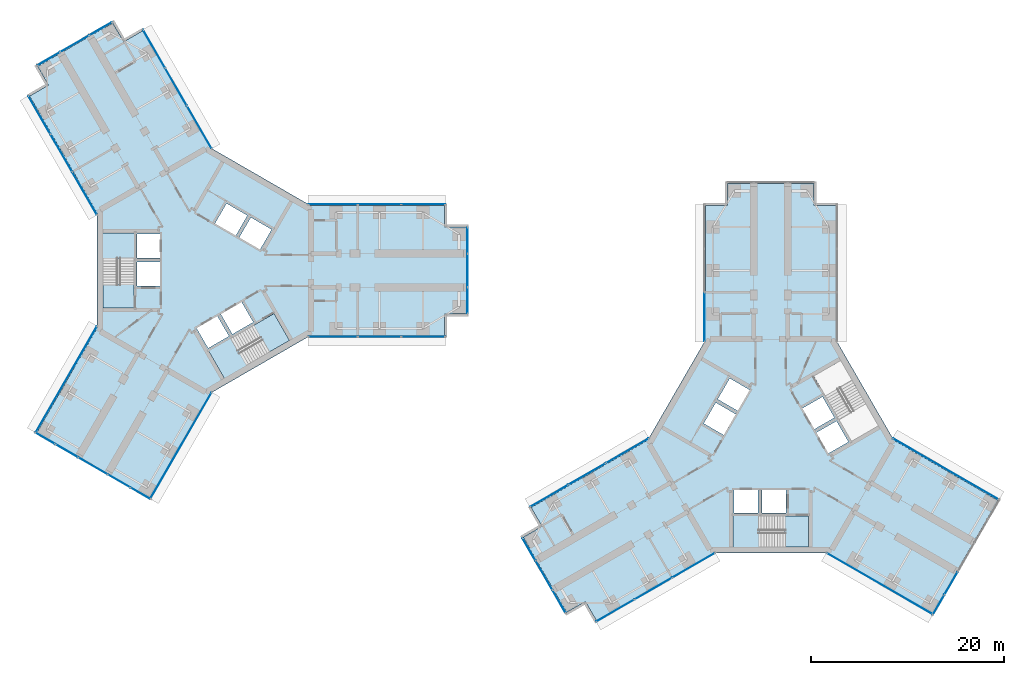
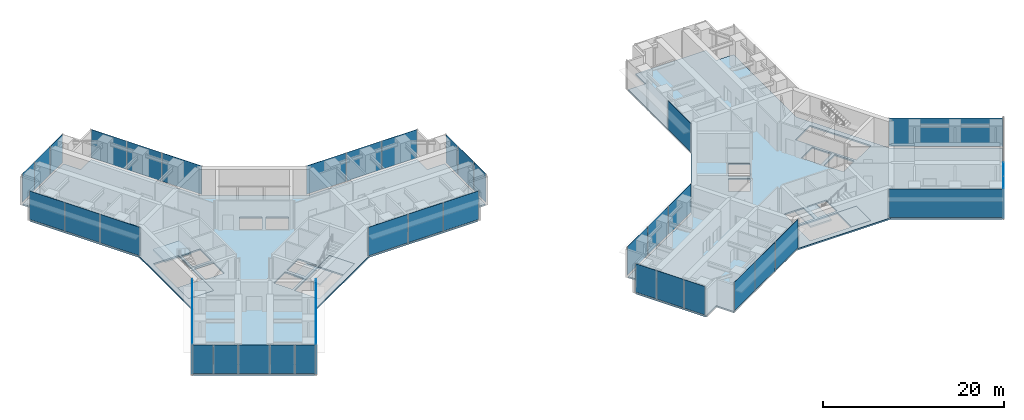
# One storey, part 13 of 21: 39 plates, 8 slabs, 19 elements without a shape of their own.
"""IFC4 building model written with IfcOpenShell, lengths in metres."""

from ifc_helpers import new_model, si_unit, direction, frame, origin, origin_2d, place, context, subcontext, project, spatial, polyline, rectangle, outline, extrude, material, layer, layer_set, type_object, element, aggregate, save


model = new_model("IFC4")

# Units and contexts
model_context = context("Model", 3, precision=1e-05, world=origin(), true_north=direction((0.0, 1.0)))
body_context = subcontext(model_context, "Body", "Model", "MODEL_VIEW")
ifc_project = project(units=[si_unit("LENGTHUNIT", "METRE"), si_unit("AREAUNIT", "SQUARE_METRE"), si_unit("VOLUMEUNIT", "CUBIC_METRE"), si_unit("PLANEANGLEUNIT", "RADIAN"), si_unit("MASSUNIT", "GRAM", prefix="KILO")], contexts=[model_context])

# Site, building, storey
site_placement = place(None, origin())
site = spatial("IfcSite", under=ifc_project, at=site_placement, CompositionType="ELEMENT")
building_placement = place(site_placement, origin())
building = spatial("IfcBuilding", under=site, at=building_placement, Name="Upepo Twin Towers", CompositionType="ELEMENT")
storey_placement = place(building_placement, frame((0.0, 0.0, 105.5)))
storey = spatial("IfcBuildingStorey", under=building, at=storey_placement, Name="L25", CompositionType="ELEMENT", Elevation=105.5)

# Curtain wall, plates
ifc_material_1 = material(Name="Aluminium and fritted glass", Category="aluminium")
curtain_wall_type = type_object("IfcCurtainWallType", Name="Tower curtain wall TW2, fritted glass", PredefinedType="NOTDEFINED", material=ifc_material_1)
curtain_wall_1_placement = place(storey_placement, origin())
curtain_wall_1 = element("IfcCurtainWall", 1, at=curtain_wall_1_placement, inside=storey, type_object=curtain_wall_type, Name="T1 L25 wing A flank L curtain wall", PredefinedType="NOTDEFINED")
ifc_material_2 = material(Name="Ceramic-fritted laminated glass", Category="glass")
ifc_layer_1 = layer(ifc_material_2, 0.031982421875)
ifc_layer_set_1 = layer_set([ifc_layer_1], Name="Fritted glass panel, 35 per cent dot frit, 32 mm double glazed")
plate_type_1 = type_object("IfcPlateType", Name="Fritted glass panel, 35 per cent dot frit, 32 mm double glazed", PredefinedType="CURTAIN_PANEL", material=ifc_layer_set_1)
plate_1_placement = place(storey_placement, frame((13.184814453125, 6.85009765625, 0.14990234375), z_axis=(0.0, 0.0, 1.0), x_axis=(1.0, 0.0, 0.0)))
plate_1 = element("IfcPlate", 2, at=plate_1_placement, type_object=plate_type_1, Name="T1 L25 wing A flank L curtain wall panel 1", PredefinedType="CURTAIN_PANEL", context=body_context, shape_type="SweptSolid", body=[
    extrude(rectangle(XDim=5.0654296875, YDim=0.031982421875, at=origin_2d()), origin(), (0.0, 0.0, 1.0), 3.85009765625),
])
plate_2_placement = place(storey_placement, frame((18.0, 6.85009765625, 0.14990234375), z_axis=(0.0, 0.0, 1.0), x_axis=(1.0, 0.0, 0.0)))
plate_2 = element("IfcPlate", 3, at=plate_2_placement, type_object=plate_type_1, Name="T1 L25 wing A flank L curtain wall panel 2", PredefinedType="CURTAIN_PANEL", context=body_context, shape_type="SweptSolid", body=[
    extrude(rectangle(XDim=4.43505859375, YDim=0.031982421875, at=origin_2d()), origin(), (0.0, 0.0, 1.0), 3.85009765625),
])
plate_3_placement = place(storey_placement, frame((22.53369140625, 6.85009765625, 0.14990234375), z_axis=(0.0, 0.0, 1.0), x_axis=(1.0, 0.0, 0.0)))
plate_3 = element("IfcPlate", 4, at=plate_3_placement, type_object=plate_type_1, Name="T1 L25 wing A flank L curtain wall panel 3", PredefinedType="CURTAIN_PANEL", context=body_context, shape_type="SweptSolid", body=[
    extrude(rectangle(XDim=4.50244140625, YDim=0.031982421875, at=origin_2d()), origin(), (0.0, 0.0, 1.0), 3.85009765625),
])
aggregate(curtain_wall_1, [plate_1, plate_2, plate_3])

curtain_wall_2_placement = place(storey_placement, origin())
curtain_wall_2 = element("IfcCurtainWall", 5, at=curtain_wall_2_placement, inside=storey, type_object=curtain_wall_type, Name="T1 L25 wing A flank R curtain wall", PredefinedType="NOTDEFINED")
plate_4_placement = place(storey_placement, frame((22.53369140625, -6.85009765625, 0.14990234375), z_axis=(0.0, 0.0, 1.0), x_axis=(-1.0, 0.0, 0.0)))
plate_4 = element("IfcPlate", 6, at=plate_4_placement, type_object=plate_type_1, Name="T1 L25 wing A flank R curtain wall panel 1", PredefinedType="CURTAIN_PANEL", context=body_context, shape_type="SweptSolid", body=[
    extrude(rectangle(XDim=4.50244140625, YDim=0.031982421875, at=origin_2d()), origin(), (0.0, 0.0, 1.0), 3.85009765625),
])
plate_5_placement = place(storey_placement, frame((18.0, -6.85009765625, 0.14990234375), z_axis=(0.0, 0.0, 1.0), x_axis=(-1.0, 0.0, 0.0)))
plate_5 = element("IfcPlate", 7, at=plate_5_placement, type_object=plate_type_1, Name="T1 L25 wing A flank R curtain wall panel 2", PredefinedType="CURTAIN_PANEL", context=body_context, shape_type="SweptSolid", body=[
    extrude(rectangle(XDim=4.43505859375, YDim=0.031982421875, at=origin_2d()), origin(), (0.0, 0.0, 1.0), 3.85009765625),
])
plate_6_placement = place(storey_placement, frame((13.184814453125, -6.85009765625, 0.14990234375), z_axis=(0.0, 0.0, 1.0), x_axis=(-1.0, 0.0, 0.0)))
plate_6 = element("IfcPlate", 8, at=plate_6_placement, type_object=plate_type_1, Name="T1 L25 wing A flank R curtain wall panel 3", PredefinedType="CURTAIN_PANEL", context=body_context, shape_type="SweptSolid", body=[
    extrude(rectangle(XDim=5.0654296875, YDim=0.031982421875, at=origin_2d()), origin(), (0.0, 0.0, 1.0), 3.85009765625),
])
aggregate(curtain_wall_2, [plate_4, plate_5, plate_6])

# Curtain wall, plate
curtain_wall_3_placement = place(storey_placement, origin())
curtain_wall_3 = element("IfcCurtainWall", 9, at=curtain_wall_3_placement, inside=storey, type_object=curtain_wall_type, Name="T1 L25 wing A nose curtain wall", PredefinedType="NOTDEFINED")
plate_7_placement = place(storey_placement, frame((27.10009765625, 0.0, 0.14990234375), z_axis=(0.0, 0.0, 1.0), x_axis=(0.0, 1.0, 0.0)))
plate_7 = element("IfcPlate", 10, at=plate_7_placement, type_object=plate_type_1, Name="T1 L25 wing A nose curtain wall panel 2", PredefinedType="CURTAIN_PANEL", context=body_context, shape_type="SweptSolid", body=[
    extrude(rectangle(XDim=3.43505859375, YDim=0.031982421875, at=origin_2d()), origin(), (0.0, 0.0, 1.0), 3.85009765625),
])

# Curtain wall, plates
curtain_wall_4_placement = place(storey_placement, origin())
curtain_wall_4 = element("IfcCurtainWall", 11, at=curtain_wall_4_placement, inside=storey, type_object=curtain_wall_type, Name="T1 L25 wing B flank L curtain wall", PredefinedType="NOTDEFINED")
plate_8_placement = place(storey_placement, frame((-12.524658203125, 7.993408203125, 0.14990234375), z_axis=(0.0, 0.0, 1.0), x_axis=(-0.500000010308, 0.866025397833, 0.0)))
plate_8 = element("IfcPlate", 12, at=plate_8_placement, type_object=plate_type_1, Name="T1 L25 wing B flank L curtain wall panel 1", PredefinedType="CURTAIN_PANEL", context=body_context, shape_type="SweptSolid", body=[
    extrude(rectangle(XDim=5.0654296875, YDim=0.031982421875, at=origin_2d()), origin(), (0.0, 0.0, 1.0), 3.85009765625),
])
plate_9_placement = place(storey_placement, frame((-14.932373046875, 12.16357421875, 0.14990234375), z_axis=(0.0, 0.0, 1.0), x_axis=(-0.500000010308, 0.866025397833, 0.0)))
plate_9 = element("IfcPlate", 13, at=plate_9_placement, type_object=plate_type_1, Name="T1 L25 wing B flank L curtain wall panel 2", PredefinedType="CURTAIN_PANEL", context=body_context, shape_type="SweptSolid", body=[
    extrude(rectangle(XDim=4.43505859375, YDim=0.031982421875, at=origin_2d()), origin(), (0.0, 0.0, 1.0), 3.85009765625),
])
plate_10_placement = place(storey_placement, frame((-17.19921875, 16.08984375, 0.14990234375), z_axis=(0.0, 0.0, 1.0), x_axis=(-0.500000010308, 0.866025397833, 0.0)))
plate_10 = element("IfcPlate", 14, at=plate_10_placement, type_object=plate_type_1, Name="T1 L25 wing B flank L curtain wall panel 3", PredefinedType="CURTAIN_PANEL", context=body_context, shape_type="SweptSolid", body=[
    extrude(rectangle(XDim=4.50244140625, YDim=0.031982421875, at=origin_2d()), origin(), (0.0, 0.0, 1.0), 3.85009765625),
])
aggregate(curtain_wall_4, [plate_8, plate_9, plate_10])

curtain_wall_5_placement = place(storey_placement, origin())
curtain_wall_5 = element("IfcCurtainWall", 15, at=curtain_wall_5_placement, inside=storey, type_object=curtain_wall_type, Name="T1 L25 wing B flank R curtain wall", PredefinedType="NOTDEFINED")
plate_11_placement = place(storey_placement, frame((-5.334716796875, 22.939697265625, 0.14990234375), z_axis=(0.0, 0.0, 1.0), x_axis=(0.500000010308, -0.866025397833, 0.0)))
plate_11 = element("IfcPlate", 16, at=plate_11_placement, type_object=plate_type_1, Name="T1 L25 wing B flank R curtain wall panel 1", PredefinedType="CURTAIN_PANEL", context=body_context, shape_type="SweptSolid", body=[
    extrude(rectangle(XDim=4.50244140625, YDim=0.031982421875, at=origin_2d()), origin(), (0.0, 0.0, 1.0), 3.85009765625),
])
plate_12_placement = place(storey_placement, frame((-3.067626953125, 19.013427734375, 0.14990234375), z_axis=(0.0, 0.0, 1.0), x_axis=(0.500000010308, -0.866025397833, 0.0)))
plate_12 = element("IfcPlate", 17, at=plate_12_placement, type_object=plate_type_1, Name="T1 L25 wing B flank R curtain wall panel 2", PredefinedType="CURTAIN_PANEL", context=body_context, shape_type="SweptSolid", body=[
    extrude(rectangle(XDim=4.43505859375, YDim=0.031982421875, at=origin_2d()), origin(), (0.0, 0.0, 1.0), 3.85009765625),
])
plate_13_placement = place(storey_placement, frame((-0.66015625, 14.84326171875, 0.14990234375), z_axis=(0.0, 0.0, 1.0), x_axis=(0.500000010308, -0.866025397833, 0.0)))
plate_13 = element("IfcPlate", 18, at=plate_13_placement, type_object=plate_type_1, Name="T1 L25 wing B flank R curtain wall panel 3", PredefinedType="CURTAIN_PANEL", context=body_context, shape_type="SweptSolid", body=[
    extrude(rectangle(XDim=5.0654296875, YDim=0.031982421875, at=origin_2d()), origin(), (0.0, 0.0, 1.0), 3.85009765625),
])
aggregate(curtain_wall_5, [plate_11, plate_12, plate_13])

# Curtain wall, plate
curtain_wall_6_placement = place(storey_placement, origin())
curtain_wall_6 = element("IfcCurtainWall", 19, at=curtain_wall_6_placement, inside=storey, type_object=curtain_wall_type, Name="T1 L25 wing B nose curtain wall", PredefinedType="NOTDEFINED")
plate_14_placement = place(storey_placement, frame((-13.550048828125, 23.46923828125, 0.14990234375), z_axis=(0.0, 0.0, 1.0), x_axis=(-0.866025386174, -0.500000030502, 0.0)))
plate_14 = element("IfcPlate", 20, at=plate_14_placement, type_object=plate_type_1, Name="T1 L25 wing B nose curtain wall panel 2", PredefinedType="CURTAIN_PANEL", context=body_context, shape_type="SweptSolid", body=[
    extrude(rectangle(XDim=3.43505859375, YDim=0.031982421875, at=origin_2d()), origin(), (0.0, 0.0, 1.0), 3.85009765625),
])

curtain_wall_7_placement = place(storey_placement, origin())
curtain_wall_7 = element("IfcCurtainWall", 21, at=curtain_wall_7_placement, inside=storey, type_object=curtain_wall_type, Name="T1 L25 wing C flank L curtain wall", PredefinedType="NOTDEFINED")
plate_15_placement = place(storey_placement, frame((-2.552001953125, -18.1201171875, 0.14990234375), z_axis=(0.0, 0.0, 1.0), x_axis=(-0.50000000792, -0.866025399212, 0.0)))
plate_15 = element("IfcPlate", 22, at=plate_15_placement, type_object=plate_type_1, Name="T1 L25 wing C flank L curtain wall panel 1", PredefinedType="CURTAIN_PANEL", context=body_context, shape_type="SweptSolid", body=[
    extrude(rectangle(XDim=12.6328125, YDim=0.031982421875, at=origin_2d()), origin(), (0.0, 0.0, 1.0), 3.85009765625),
])
aggregate(curtain_wall_7, [plate_15])

curtain_wall_8_placement = place(storey_placement, origin())
curtain_wall_8 = element("IfcCurtainWall", 23, at=curtain_wall_8_placement, inside=storey, type_object=curtain_wall_type, Name="T1 L25 wing C flank R curtain wall", PredefinedType="NOTDEFINED")
plate_16_placement = place(storey_placement, frame((-14.41650390625, -11.270263671875, 0.14990234375), z_axis=(0.0, 0.0, 1.0), x_axis=(0.50000000792, 0.866025399212, 0.0)))
plate_16 = element("IfcPlate", 24, at=plate_16_placement, type_object=plate_type_1, Name="T1 L25 wing C flank R curtain wall panel 1", PredefinedType="CURTAIN_PANEL", context=body_context, shape_type="SweptSolid", body=[
    extrude(rectangle(XDim=12.6328125, YDim=0.031982421875, at=origin_2d()), origin(), (0.0, 0.0, 1.0), 3.85009765625),
])
aggregate(curtain_wall_8, [plate_16])

# Curtain wall, plates
curtain_wall_9_placement = place(storey_placement, origin())
curtain_wall_9 = element("IfcCurtainWall", 25, at=curtain_wall_9_placement, inside=storey, type_object=curtain_wall_type, Name="T1 L25 wing C nose curtain wall", PredefinedType="NOTDEFINED")
plate_17_placement = place(storey_placement, frame((-14.38134765625, -18.6591796875, 0.14990234375), z_axis=(0.0, 0.0, 1.0), x_axis=(0.866025419745, -0.499999972355, 0.0)))
plate_17 = element("IfcPlate", 26, at=plate_17_placement, type_object=plate_type_1, Name="T1 L25 wing C nose curtain wall panel 2", PredefinedType="CURTAIN_PANEL", context=body_context, shape_type="SweptSolid", body=[
    extrude(rectangle(XDim=2.68505859375, YDim=0.031982421875, at=origin_2d()), origin(), (0.0, 0.0, 1.0), 3.85009765625),
])
plate_18_placement = place(storey_placement, frame((-11.675048828125, -20.2216796875, 0.14990234375), z_axis=(0.0, 0.0, 1.0), x_axis=(0.866025419745, -0.499999972355, 0.0)))
plate_18 = element("IfcPlate", 27, at=plate_18_placement, type_object=plate_type_1, Name="T1 L25 wing C nose curtain wall panel 3", PredefinedType="CURTAIN_PANEL", context=body_context, shape_type="SweptSolid", body=[
    extrude(rectangle(XDim=3.43505859375, YDim=0.031982421875, at=origin_2d()), origin(), (0.0, 0.0, 1.0), 3.85009765625),
])
plate_19_placement = place(storey_placement, frame((-8.96875, -21.7841796875, 0.14990234375), z_axis=(0.0, 0.0, 1.0), x_axis=(0.866025419745, -0.499999972355, 0.0)))
plate_19 = element("IfcPlate", 28, at=plate_19_placement, type_object=plate_type_1, Name="T1 L25 wing C nose curtain wall panel 4", PredefinedType="CURTAIN_PANEL", context=body_context, shape_type="SweptSolid", body=[
    extrude(rectangle(XDim=2.68505859375, YDim=0.031982421875, at=origin_2d()), origin(), (0.0, 0.0, 1.0), 3.85009765625),
])

# Curtain wall, plate
curtain_wall_10_placement = place(storey_placement, origin())
curtain_wall_10 = element("IfcCurtainWall", 29, at=curtain_wall_10_placement, inside=storey, type_object=curtain_wall_type, Name="T2 L25 wing A flank L curtain wall", PredefinedType="NOTDEFINED")
plate_20_placement = place(storey_placement, frame((51.64990234375, -4.815185546875, 0.14990234375), z_axis=(0.0, 0.0, 1.0), x_axis=(0.0, 1.0, 0.0)))
plate_20 = element("IfcPlate", 30, at=plate_20_placement, type_object=plate_type_1, Name="T2 L25 wing A flank L curtain wall panel 1", PredefinedType="CURTAIN_PANEL", context=body_context, shape_type="SweptSolid", body=[
    extrude(rectangle(XDim=5.0654296875, YDim=0.031982421875, at=origin_2d()), origin(), (0.0, 0.0, 1.0), 3.85009765625),
])
aggregate(curtain_wall_10, [plate_20])

# Curtain wall, plates
curtain_wall_11_placement = place(storey_placement, origin())
curtain_wall_11 = element("IfcCurtainWall", 31, at=curtain_wall_11_placement, inside=storey, type_object=curtain_wall_type, Name="T2 L25 wing B flank L curtain wall", PredefinedType="NOTDEFINED")
plate_21_placement = place(storey_placement, frame((50.506591796875, -30.524658203125, 0.14990234375), z_axis=(0.0, 0.0, 1.0), x_axis=(-0.866025397833, -0.500000010308, 0.0)))
plate_21 = element("IfcPlate", 32, at=plate_21_placement, type_object=plate_type_1, Name="T2 L25 wing B flank L curtain wall panel 1", PredefinedType="CURTAIN_PANEL", context=body_context, shape_type="SweptSolid", body=[
    extrude(rectangle(XDim=5.0654296875, YDim=0.031982421875, at=origin_2d()), origin(), (0.0, 0.0, 1.0), 3.85009765625),
])
plate_22_placement = place(storey_placement, frame((46.33642578125, -32.932373046875, 0.14990234375), z_axis=(0.0, 0.0, 1.0), x_axis=(-0.866025397833, -0.500000010308, 0.0)))
plate_22 = element("IfcPlate", 33, at=plate_22_placement, type_object=plate_type_1, Name="T2 L25 wing B flank L curtain wall panel 2", PredefinedType="CURTAIN_PANEL", context=body_context, shape_type="SweptSolid", body=[
    extrude(rectangle(XDim=4.43505859375, YDim=0.031982421875, at=origin_2d()), origin(), (0.0, 0.0, 1.0), 3.85009765625),
])
plate_23_placement = place(storey_placement, frame((42.41015625, -35.19921875, 0.14990234375), z_axis=(0.0, 0.0, 1.0), x_axis=(-0.866025397833, -0.500000010308, 0.0)))
plate_23 = element("IfcPlate", 34, at=plate_23_placement, type_object=plate_type_1, Name="T2 L25 wing B flank L curtain wall panel 3", PredefinedType="CURTAIN_PANEL", context=body_context, shape_type="SweptSolid", body=[
    extrude(rectangle(XDim=4.50244140625, YDim=0.031982421875, at=origin_2d()), origin(), (0.0, 0.0, 1.0), 3.85009765625),
])
aggregate(curtain_wall_11, [plate_21, plate_22, plate_23])

curtain_wall_12_placement = place(storey_placement, origin())
curtain_wall_12 = element("IfcCurtainWall", 35, at=curtain_wall_12_placement, inside=storey, type_object=curtain_wall_type, Name="T2 L25 wing B flank R curtain wall", PredefinedType="NOTDEFINED")
plate_24_placement = place(storey_placement, frame((35.560302734375, -23.334716796875, 0.14990234375), z_axis=(0.0, 0.0, 1.0), x_axis=(0.866025397833, 0.500000010308, 0.0)))
plate_24 = element("IfcPlate", 36, at=plate_24_placement, type_object=plate_type_1, Name="T2 L25 wing B flank R curtain wall panel 1", PredefinedType="CURTAIN_PANEL", context=body_context, shape_type="SweptSolid", body=[
    extrude(rectangle(XDim=4.50244140625, YDim=0.031982421875, at=origin_2d()), origin(), (0.0, 0.0, 1.0), 3.85009765625),
])
plate_25_placement = place(storey_placement, frame((39.486572265625, -21.067626953125, 0.14990234375), z_axis=(0.0, 0.0, 1.0), x_axis=(0.866025397833, 0.500000010308, 0.0)))
plate_25 = element("IfcPlate", 37, at=plate_25_placement, type_object=plate_type_1, Name="T2 L25 wing B flank R curtain wall panel 2", PredefinedType="CURTAIN_PANEL", context=body_context, shape_type="SweptSolid", body=[
    extrude(rectangle(XDim=4.43505859375, YDim=0.031982421875, at=origin_2d()), origin(), (0.0, 0.0, 1.0), 3.85009765625),
])
plate_26_placement = place(storey_placement, frame((43.65673828125, -18.66015625, 0.14990234375), z_axis=(0.0, 0.0, 1.0), x_axis=(0.866025397833, 0.500000010308, 0.0)))
plate_26 = element("IfcPlate", 38, at=plate_26_placement, type_object=plate_type_1, Name="T2 L25 wing B flank R curtain wall panel 3", PredefinedType="CURTAIN_PANEL", context=body_context, shape_type="SweptSolid", body=[
    extrude(rectangle(XDim=5.0654296875, YDim=0.031982421875, at=origin_2d()), origin(), (0.0, 0.0, 1.0), 3.85009765625),
])
aggregate(curtain_wall_12, [plate_24, plate_25, plate_26])

# Curtain wall, plate
curtain_wall_13_placement = place(storey_placement, origin())
curtain_wall_13 = element("IfcCurtainWall", 39, at=curtain_wall_13_placement, inside=storey, type_object=curtain_wall_type, Name="T2 L25 wing B nose curtain wall", PredefinedType="NOTDEFINED")
plate_27_placement = place(storey_placement, frame((35.03076171875, -31.550048828125, 0.14990234375), z_axis=(0.0, 0.0, 1.0), x_axis=(0.500000030502, -0.866025386174, 0.0)))
plate_27 = element("IfcPlate", 40, at=plate_27_placement, type_object=plate_type_1, Name="T2 L25 wing B nose curtain wall panel 2", PredefinedType="CURTAIN_PANEL", context=body_context, shape_type="SweptSolid", body=[
    extrude(rectangle(XDim=3.43505859375, YDim=0.031982421875, at=origin_2d()), origin(), (0.0, 0.0, 1.0), 3.85009765625),
])

curtain_wall_14_placement = place(storey_placement, origin())
curtain_wall_14 = element("IfcCurtainWall", 41, at=curtain_wall_14_placement, inside=storey, type_object=curtain_wall_type, Name="T2 L25 wing C flank L curtain wall", PredefinedType="NOTDEFINED")
plate_28_placement = place(storey_placement, frame((76.6201171875, -20.552001953125, 0.14990234375), z_axis=(0.0, 0.0, 1.0), x_axis=(0.866025399212, -0.50000000792, 0.0)))
plate_28 = element("IfcPlate", 42, at=plate_28_placement, type_object=plate_type_1, Name="T2 L25 wing C flank L curtain wall panel 1", PredefinedType="CURTAIN_PANEL", context=body_context, shape_type="SweptSolid", body=[
    extrude(rectangle(XDim=12.6328125, YDim=0.031982421875, at=origin_2d()), origin(), (0.0, 0.0, 1.0), 3.85009765625),
])
aggregate(curtain_wall_14, [plate_28])

curtain_wall_15_placement = place(storey_placement, origin())
curtain_wall_15 = element("IfcCurtainWall", 43, at=curtain_wall_15_placement, inside=storey, type_object=curtain_wall_type, Name="T2 L25 wing C flank R curtain wall", PredefinedType="NOTDEFINED")
plate_29_placement = place(storey_placement, frame((69.770263671875, -32.41650390625, 0.14990234375), z_axis=(0.0, 0.0, 1.0), x_axis=(-0.866025399212, 0.50000000792, 0.0)))
plate_29 = element("IfcPlate", 44, at=plate_29_placement, type_object=plate_type_1, Name="T2 L25 wing C flank R curtain wall panel 1", PredefinedType="CURTAIN_PANEL", context=body_context, shape_type="SweptSolid", body=[
    extrude(rectangle(XDim=12.6328125, YDim=0.031982421875, at=origin_2d()), origin(), (0.0, 0.0, 1.0), 3.85009765625),
])
aggregate(curtain_wall_15, [plate_29])

curtain_wall_16_placement = place(storey_placement, origin())
curtain_wall_16 = element("IfcCurtainWall", 45, at=curtain_wall_16_placement, inside=storey, type_object=curtain_wall_type, Name="T2 L25 wing C nose curtain wall", PredefinedType="NOTDEFINED")
plate_30_placement = place(storey_placement, frame((77.1591796875, -32.38134765625, 0.14990234375), z_axis=(0.0, 0.0, 1.0), x_axis=(0.499999972355, 0.866025419745, 0.0)))
plate_30 = element("IfcPlate", 46, at=plate_30_placement, type_object=plate_type_1, Name="T2 L25 wing C nose curtain wall panel 2", PredefinedType="CURTAIN_PANEL", context=body_context, shape_type="SweptSolid", body=[
    extrude(rectangle(XDim=2.68505859375, YDim=0.031982421875, at=origin_2d()), origin(), (0.0, 0.0, 1.0), 3.85009765625),
])

# Plate
ifc_material_3 = material(Name="Clear laminated glass in opening sash", Category="glass")
ifc_layer_2 = layer(ifc_material_3, 0.031982421875)
ifc_layer_set_2 = layer_set([ifc_layer_2], Name="Operable glass panel, 32 mm double glazed")
plate_type_2 = type_object("IfcPlateType", Name="Operable glass panel, 32 mm double glazed", PredefinedType="CURTAIN_PANEL", material=ifc_layer_set_2)
plate_31_placement = place(storey_placement, frame((27.10009765625, -3.108642578125, 0.14990234375), z_axis=(0.0, 0.0, 1.0), x_axis=(0.0, 1.0, 0.0)))
plate_31 = element("IfcPlate", 47, at=plate_31_placement, type_object=plate_type_2, Name="T1 L25 wing A nose curtain wall panel 1", PredefinedType="CURTAIN_PANEL", context=body_context, shape_type="SweptSolid", body=[
    extrude(rectangle(XDim=2.652587890625, YDim=0.031982421875, at=origin_2d()), origin(), (0.0, 0.0, 1.0), 3.85009765625),
])

plate_32_placement = place(storey_placement, frame((27.10009765625, 3.108642578125, 0.14990234375), z_axis=(0.0, 0.0, 1.0), x_axis=(0.0, 1.0, 0.0)))
plate_32 = element("IfcPlate", 48, at=plate_32_placement, type_object=plate_type_2, Name="T1 L25 wing A nose curtain wall panel 3", PredefinedType="CURTAIN_PANEL", context=body_context, shape_type="SweptSolid", body=[
    extrude(rectangle(XDim=2.652587890625, YDim=0.031982421875, at=origin_2d()), origin(), (0.0, 0.0, 1.0), 3.85009765625),
])

aggregate(curtain_wall_3, [plate_31, plate_7, plate_32])

plate_33_placement = place(storey_placement, frame((-10.857666015625, 25.023681640625, 0.14990234375), z_axis=(0.0, 0.0, 1.0), x_axis=(-0.866025386174, -0.500000030502, 0.0)))
plate_33 = element("IfcPlate", 49, at=plate_33_placement, type_object=plate_type_2, Name="T1 L25 wing B nose curtain wall panel 1", PredefinedType="CURTAIN_PANEL", context=body_context, shape_type="SweptSolid", body=[
    extrude(rectangle(XDim=2.652587890625, YDim=0.031982421875, at=origin_2d()), origin(), (0.0, 0.0, 1.0), 3.85009765625),
])

plate_34_placement = place(storey_placement, frame((-16.2421875, 21.914794921875, 0.14990234375), z_axis=(0.0, 0.0, 1.0), x_axis=(-0.866025386174, -0.500000030502, 0.0)))
plate_34 = element("IfcPlate", 50, at=plate_34_placement, type_object=plate_type_2, Name="T1 L25 wing B nose curtain wall panel 3", PredefinedType="CURTAIN_PANEL", context=body_context, shape_type="SweptSolid", body=[
    extrude(rectangle(XDim=2.652587890625, YDim=0.031982421875, at=origin_2d()), origin(), (0.0, 0.0, 1.0), 3.85009765625),
])

aggregate(curtain_wall_6, [plate_33, plate_14, plate_34])

plate_35_placement = place(storey_placement, frame((-16.618896484375, -17.367431640625, 0.14990234375), z_axis=(0.0, 0.0, 1.0), x_axis=(0.866025419745, -0.499999972355, 0.0)))
plate_35 = element("IfcPlate", 51, at=plate_35_placement, type_object=plate_type_2, Name="T1 L25 wing C nose curtain wall panel 1", PredefinedType="CURTAIN_PANEL", context=body_context, shape_type="SweptSolid", body=[
    extrude(rectangle(XDim=2.3525390625, YDim=0.031982421875, at=origin_2d()), origin(), (0.0, 0.0, 1.0), 3.85009765625),
])

plate_36_placement = place(storey_placement, frame((-6.73095703125, -23.076171875, 0.14990234375), z_axis=(0.0, 0.0, 1.0), x_axis=(0.866025419745, -0.499999972355, 0.0)))
plate_36 = element("IfcPlate", 52, at=plate_36_placement, type_object=plate_type_2, Name="T1 L25 wing C nose curtain wall panel 5", PredefinedType="CURTAIN_PANEL", context=body_context, shape_type="SweptSolid", body=[
    extrude(rectangle(XDim=2.3525390625, YDim=0.031982421875, at=origin_2d()), origin(), (0.0, 0.0, 1.0), 3.85009765625),
])

aggregate(curtain_wall_9, [plate_35, plate_17, plate_18, plate_19, plate_36])

plate_37_placement = place(storey_placement, frame((33.476318359375, -28.857666015625, 0.14990234375), z_axis=(0.0, 0.0, 1.0), x_axis=(0.500000030502, -0.866025386174, 0.0)))
plate_37 = element("IfcPlate", 53, at=plate_37_placement, type_object=plate_type_2, Name="T2 L25 wing B nose curtain wall panel 1", PredefinedType="CURTAIN_PANEL", context=body_context, shape_type="SweptSolid", body=[
    extrude(rectangle(XDim=2.652587890625, YDim=0.031982421875, at=origin_2d()), origin(), (0.0, 0.0, 1.0), 3.85009765625),
])

plate_38_placement = place(storey_placement, frame((36.585205078125, -34.2421875, 0.14990234375), z_axis=(0.0, 0.0, 1.0), x_axis=(0.500000030502, -0.866025386174, 0.0)))
plate_38 = element("IfcPlate", 54, at=plate_38_placement, type_object=plate_type_2, Name="T2 L25 wing B nose curtain wall panel 3", PredefinedType="CURTAIN_PANEL", context=body_context, shape_type="SweptSolid", body=[
    extrude(rectangle(XDim=2.652587890625, YDim=0.031982421875, at=origin_2d()), origin(), (0.0, 0.0, 1.0), 3.85009765625),
])

aggregate(curtain_wall_13, [plate_37, plate_27, plate_38])

plate_39_placement = place(storey_placement, frame((75.867431640625, -34.618896484375, 0.14990234375), z_axis=(0.0, 0.0, 1.0), x_axis=(0.499999972355, 0.866025419745, 0.0)))
plate_39 = element("IfcPlate", 55, at=plate_39_placement, type_object=plate_type_2, Name="T2 L25 wing C nose curtain wall panel 1", PredefinedType="CURTAIN_PANEL", context=body_context, shape_type="SweptSolid", body=[
    extrude(rectangle(XDim=2.3525390625, YDim=0.031982421875, at=origin_2d()), origin(), (0.0, 0.0, 1.0), 3.85009765625),
])

aggregate(curtain_wall_16, [plate_39, plate_30])

# Stair, slabs
ifc_material_4 = material(Name="Concrete C40/50", Category="concrete")
stair_type = type_object("IfcStairType", Name="Core stair, two flights", PredefinedType="HALF_TURN_STAIR", material=ifc_material_4)
stair_1_placement = place(storey_placement, origin())
stair_1 = element("IfcStair", 56, at=stair_1_placement, inside=storey, type_object=stair_type, Name="T1 stair S1 L25", PredefinedType="HALF_TURN_STAIR")
ifc_material_5 = material(Name="Concrete C40/50", Category="concrete")
ifc_layer_3 = layer(ifc_material_5, 0.199951171875)
ifc_layer_set_3 = layer_set([ifc_layer_3], Name="Concrete C40/50")
slab_type_1 = type_object("IfcSlabType", Name="Stair landing 200 RC", PredefinedType="LANDING", material=ifc_layer_set_3)
slab_1_placement = place(storey_placement, frame((0.0, 0.0, -0.199951171875)))
slab_1 = element("IfcSlab", 57, at=slab_1_placement, type_object=slab_type_1, Name="Stair S1 landing 1", PredefinedType="LANDING", context=body_context, shape_type="SweptSolid", body=[
    extrude(outline(polyline([(-7.39990234375, -1.419921875), (-10.6083984375, -1.419921875), (-10.6083984375, -3.89990234375), (-7.39990234375, -3.89990234375), (-7.39990234375, -1.419921875)])), origin(), (0.0, 0.0, 1.0), 0.199951171875),
])
slab_2_placement = place(storey_placement, frame((0.0, 0.0, 1.800048828125)))
slab_2 = element("IfcSlab", 58, at=slab_2_placement, type_object=slab_type_1, Name="Stair S1 landing 2", PredefinedType="LANDING", context=body_context, shape_type="SweptSolid", body=[
    extrude(outline(polyline([(-7.300048828125, 3.89990234375), (-10.708251953125, 3.89990234375), (-10.708251953125, 1.179931640625), (-7.300048828125, 1.179931640625), (-7.300048828125, 3.89990234375)])), origin(), (0.0, 0.0, 1.0), 0.199951171875),
])
aggregate(stair_1, [slab_1, slab_2])

stair_2_placement = place(storey_placement, origin())
stair_2 = element("IfcStair", 59, at=stair_2_placement, inside=storey, type_object=stair_type, Name="T1 stair S2 L25", PredefinedType="HALF_TURN_STAIR")
slab_3_placement = place(storey_placement, frame((0.0, 0.0, -0.199951171875)))
slab_3 = element("IfcSlab", 60, at=slab_3_placement, type_object=slab_type_1, Name="Stair S2 landing 1", PredefinedType="LANDING", context=body_context, shape_type="SweptSolid", body=[
    extrude(outline(polyline([(4.9296875, -5.698486328125), (6.533935546875, -8.47705078125), (8.681640625, -7.237060546875), (7.077392578125, -4.45849609375), (4.9296875, -5.698486328125)])), origin(), (0.0, 0.0, 1.0), 0.199951171875),
])
slab_4_placement = place(storey_placement, frame((0.0, 0.0, 1.800048828125)))
slab_4 = element("IfcSlab", 61, at=slab_4_placement, type_object=slab_type_1, Name="Stair S2 landing 2", PredefinedType="LANDING", context=body_context, shape_type="SweptSolid", body=[
    extrude(outline(polyline([(0.2724609375, -8.27197265625), (1.9765625, -11.2236328125), (4.332275390625, -9.86376953125), (2.628173828125, -6.911865234375), (0.2724609375, -8.27197265625)])), origin(), (0.0, 0.0, 1.0), 0.199951171875),
])
aggregate(stair_2, [slab_3, slab_4])

stair_3_placement = place(storey_placement, origin())
stair_3 = element("IfcStair", 62, at=stair_3_placement, inside=storey, type_object=stair_type, Name="T2 stair S1 L25", PredefinedType="HALF_TURN_STAIR")
slab_5_placement = place(storey_placement, frame((0.0, 0.0, -0.199951171875)))
slab_5 = element("IfcSlab", 63, at=slab_5_placement, type_object=slab_type_1, Name="Stair S1 landing 1", PredefinedType="LANDING", context=body_context, shape_type="SweptSolid", body=[
    extrude(outline(polyline([(59.919921875, -25.39990234375), (59.919921875, -28.6083984375), (62.39990234375, -28.6083984375), (62.39990234375, -25.39990234375), (59.919921875, -25.39990234375)])), origin(), (0.0, 0.0, 1.0), 0.199951171875),
])
slab_6_placement = place(storey_placement, frame((0.0, 0.0, 1.800048828125)))
slab_6 = element("IfcSlab", 64, at=slab_6_placement, type_object=slab_type_1, Name="Stair S1 landing 2", PredefinedType="LANDING", context=body_context, shape_type="SweptSolid", body=[
    extrude(outline(polyline([(54.60009765625, -25.300048828125), (54.60009765625, -28.708251953125), (57.320068359375, -28.708251953125), (57.320068359375, -25.300048828125), (54.60009765625, -25.300048828125)])), origin(), (0.0, 0.0, 1.0), 0.199951171875),
])
aggregate(stair_3, [slab_5, slab_6])

# Slabs
ifc_material_6 = material(Name="Concrete C40/50", Category="concrete")
ifc_layer_4 = layer(ifc_material_6, 0.199951171875)
ifc_layer_set_4 = layer_set([ifc_layer_4], Name="Concrete C40/50")
slab_type_2 = type_object("IfcSlabType", Name="Tower floor slab 200 RC", PredefinedType="FLOOR", material=ifc_layer_set_4)
slab_7_placement = place(storey_placement, frame((0.0, 0.0, -0.199951171875)))
element("IfcSlab", 65, at=slab_7_placement, inside=storey, type_object=slab_type_2, Name="T1 L25 floor slab", PredefinedType="FLOOR", context=body_context, shape_type="SweptSolid", body=[
    extrude(outline(polyline([(-17.470703125, -16.760009765625), (-11.25830078125, -6.0), (-11.25830078125, 6.0), (-18.220703125, 18.05908203125), (-16.272216796875, 19.18408203125), (-17.397216796875, 21.132568359375), (-9.602783203125, 25.632568359375), (-8.477783203125, 23.68408203125), (-6.529296875, 24.80908203125), (0.43310546875, 12.75), (10.825439453125, 6.75), (24.75, 6.75), (24.75, 4.5), (27.0, 4.5), (27.0, -4.5), (24.75, -4.5), (24.75, -6.75), (10.825439453125, -6.75), (0.43310546875, -12.75), (-5.779296875, -23.510009765625), (-17.470703125, -16.760009765625)]), holes=[polyline([(5.640869140625, 2.17041015625), (6.8408203125, 4.248779296875), (4.67578125, 5.498779296875), (3.475830078125, 3.42041015625), (5.640869140625, 2.17041015625)]), polyline([(3.12939453125, 3.620361328125), (4.329345703125, 5.69873046875), (2.164306640625, 6.94873046875), (0.96435546875, 4.870361328125), (3.12939453125, 3.620361328125)]), polyline([(-4.699951171875, 3.800048828125), (-7.10009765625, 3.800048828125), (-7.10009765625, 1.300048828125), (-4.699951171875, 1.300048828125), (-4.699951171875, 3.800048828125)]), polyline([(-4.699951171875, 0.89990234375), (-7.10009765625, 0.89990234375), (-7.10009765625, -1.60009765625), (-4.699951171875, -1.60009765625), (-4.699951171875, 0.89990234375)]), polyline([(-7.39990234375, 3.89990234375), (-10.6083984375, 3.89990234375), (-10.6083984375, -3.89990234375), (-7.39990234375, -3.89990234375), (-7.39990234375, 3.89990234375)]), polyline([(-0.94091796875, -5.97021484375), (0.259033203125, -8.048828125), (2.424072265625, -6.798828125), (1.22412109375, -4.72021484375), (-0.94091796875, -5.97021484375)]), polyline([(1.570556640625, -4.520263671875), (2.7705078125, -6.598876953125), (4.935546875, -5.348876953125), (3.735595703125, -3.270263671875), (1.570556640625, -4.520263671875)]), polyline([(0.322509765625, -8.358642578125), (1.9267578125, -11.136962890625), (8.681640625, -7.237060546875), (7.077392578125, -4.45849609375), (0.322509765625, -8.358642578125)])]), origin(), (0.0, 0.0, 1.0), 0.199951171875),
])
slab_8_placement = place(storey_placement, frame((0.0, 0.0, -0.199951171875)))
element("IfcSlab", 66, at=slab_8_placement, inside=storey, type_object=slab_type_2, Name="T2 L25 floor slab", PredefinedType="FLOOR", context=body_context, shape_type="SweptSolid", body=[
    extrude(outline(polyline([(75.260009765625, -35.470703125), (64.5, -29.25830078125), (52.5, -29.25830078125), (40.44091796875, -36.220703125), (39.31591796875, -34.272216796875), (37.367431640625, -35.397216796875), (32.867431640625, -27.602783203125), (34.81591796875, -26.477783203125), (33.69091796875, -24.529296875), (45.75, -17.56689453125), (51.75, -7.174560546875), (51.75, 6.75), (54.0, 6.75), (54.0, 9.0), (63.0, 9.0), (63.0, 6.75), (65.25, 6.75), (65.25, -7.174560546875), (71.25, -17.56689453125), (82.010009765625, -23.779296875), (75.260009765625, -35.470703125)]), holes=[polyline([(56.32958984375, -12.359130859375), (54.251220703125, -11.1591796875), (53.001220703125, -13.32421875), (55.07958984375, -14.524169921875), (56.32958984375, -12.359130859375)]), polyline([(54.879638671875, -14.87060546875), (52.80126953125, -13.670654296875), (51.55126953125, -15.835693359375), (53.629638671875, -17.03564453125), (54.879638671875, -14.87060546875)]), polyline([(54.699951171875, -22.699951171875), (54.699951171875, -25.10009765625), (57.199951171875, -25.10009765625), (57.199951171875, -22.699951171875), (54.699951171875, -22.699951171875)]), polyline([(57.60009765625, -22.699951171875), (57.60009765625, -25.10009765625), (60.10009765625, -25.10009765625), (60.10009765625, -22.699951171875), (57.60009765625, -22.699951171875)]), polyline([(54.60009765625, -25.39990234375), (54.60009765625, -28.6083984375), (62.39990234375, -28.6083984375), (62.39990234375, -25.39990234375), (54.60009765625, -25.39990234375)]), polyline([(64.47021484375, -18.94091796875), (66.548828125, -17.740966796875), (65.298828125, -15.575927734375), (63.22021484375, -16.77587890625), (64.47021484375, -18.94091796875)]), polyline([(63.020263671875, -16.429443359375), (65.098876953125, -15.2294921875), (63.848876953125, -13.064453125), (61.770263671875, -14.264404296875), (63.020263671875, -16.429443359375)]), polyline([(66.858642578125, -17.677490234375), (69.636962890625, -16.0732421875), (65.737060546875, -9.318359375), (62.95849609375, -10.922607421875), (66.858642578125, -17.677490234375)])]), origin(), (0.0, 0.0, 1.0), 0.199951171875),
])

save(model, "model.ifc")
